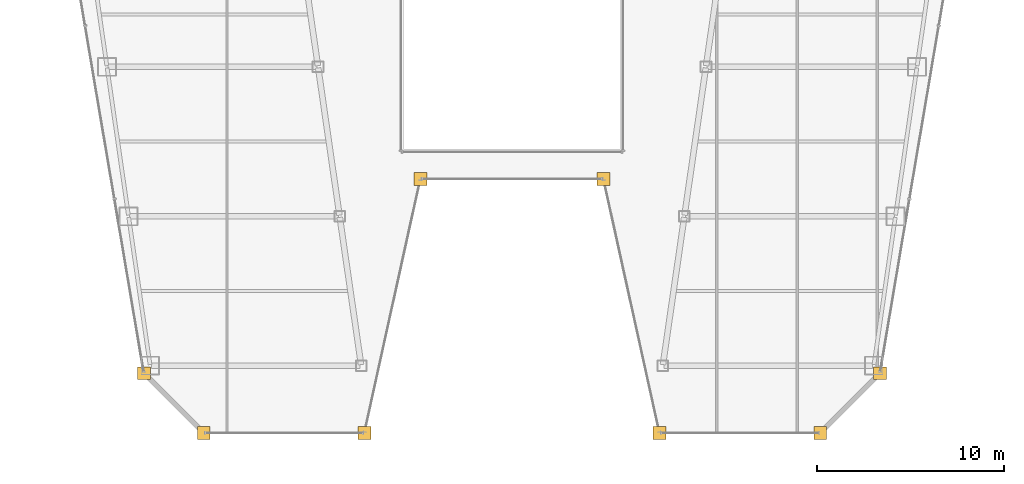
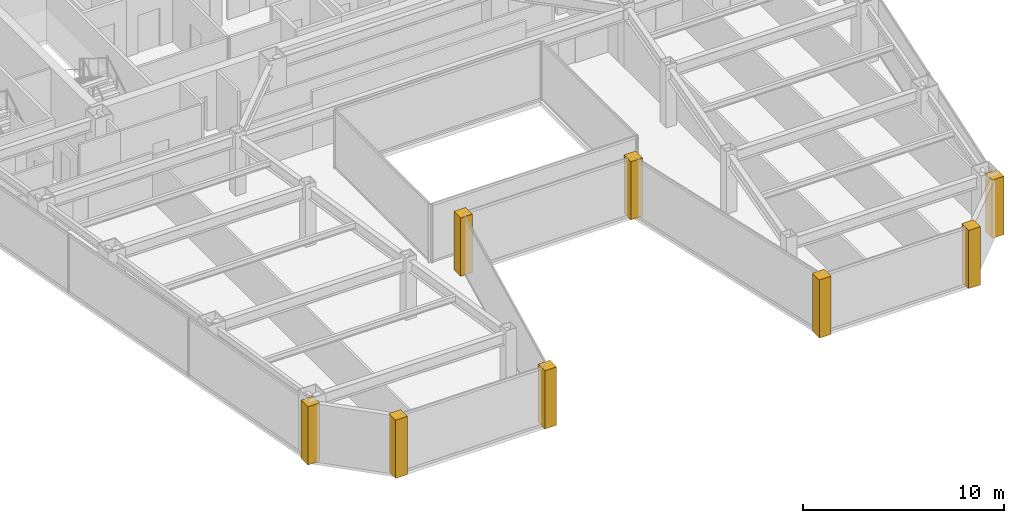
# One storey, part 33 of 35: 8 coverings.
"""IFC4 building model written with IfcOpenShell, lengths in metres."""

from ifc_helpers import new_model, si_unit, direction, frame, origin, place, context, subcontext, project, spatial, polyline, outline, extrude, material, layer, layer_set, type_object, element, save


model = new_model("IFC4")

# Units and contexts
model_context = context("Model", 3, precision=1e-05, world=origin(), true_north=direction((0.0, 1.0)))
body_context = subcontext(model_context, "Body", "Model", "MODEL_VIEW")
ifc_project = project(units=[si_unit("LENGTHUNIT", "METRE"), si_unit("AREAUNIT", "SQUARE_METRE"), si_unit("VOLUMEUNIT", "CUBIC_METRE"), si_unit("PLANEANGLEUNIT", "RADIAN"), si_unit("MASSUNIT", "GRAM", prefix="KILO")], contexts=[model_context])

# Site, building, storey
site_placement = place(None, origin())
site = spatial("IfcSite", under=ifc_project, at=site_placement, CompositionType="ELEMENT")
building_placement = place(site_placement, origin())
building = spatial("IfcBuilding", under=site, at=building_placement, Name="Saevonmaru Cultural Tower", CompositionType="ELEMENT")
storey_placement = place(building_placement, frame((0.0, 0.0, 175.199951171875)))
storey = spatial("IfcBuildingStorey", under=building, at=storey_placement, Name="L39", CompositionType="ELEMENT", Elevation=175.199951171875)

# Coverings
ifc_material = material(Name="Satin Bronze Anodised Aluminium", Category="aluminium")
ifc_layer = layer(ifc_material, 0.679931640625, Name="Satin Bronze Anodised Aluminium")
ifc_layer_set = layer_set([ifc_layer], Name="Satin Bronze Anodised Aluminium")
covering_type = type_object("IfcCoveringType", Name="CV-CORNER-CLAD", PredefinedType="CLADDING", material=ifc_layer_set)
covering_1_placement = place(storey_placement, origin())
element("IfcCovering", 1, at=covering_1_placement, inside=storey, type_object=covering_type, Name="L39 Tower Bronze Corner Cladding Pier 1", PredefinedType="CLADDING", context=body_context, shape_type="SweptSolid", body=[
    extrude(outline(polyline([(9.9580078125, 15.260009765625), (10.637939453125, 15.260009765625), (10.637939453125, 15.93994140625), (9.9580078125, 15.93994140625), (9.9580078125, 15.260009765625)])), origin(), (0.0, 0.0, 1.0), 3.550048828125),
])
covering_2_placement = place(storey_placement, origin())
element("IfcCovering", 2, at=covering_2_placement, inside=storey, type_object=covering_type, Name="L39 Tower Bronze Corner Cladding Pier 2", PredefinedType="CLADDING", context=body_context, shape_type="SweptSolid", body=[
    extrude(outline(polyline([(13.157958984375, 12.06005859375), (13.837890625, 12.06005859375), (13.837890625, 12.739990234375), (13.157958984375, 12.739990234375), (13.157958984375, 12.06005859375)])), origin(), (0.0, 0.0, 1.0), 3.550048828125),
])
covering_3_placement = place(storey_placement, origin())
element("IfcCovering", 3, at=covering_3_placement, inside=storey, type_object=covering_type, Name="L39 Tower Bronze Corner Cladding Pier 3", PredefinedType="CLADDING", context=body_context, shape_type="SweptSolid", body=[
    extrude(outline(polyline([(21.758056640625, 12.06005859375), (22.43798828125, 12.06005859375), (22.43798828125, 12.739990234375), (21.758056640625, 12.739990234375), (21.758056640625, 12.06005859375)])), origin(), (0.0, 0.0, 1.0), 3.550048828125),
])
covering_4_placement = place(storey_placement, origin())
element("IfcCovering", 4, at=covering_4_placement, inside=storey, type_object=covering_type, Name="L39 Tower Bronze Corner Cladding Pier 4", PredefinedType="CLADDING", context=body_context, shape_type="SweptSolid", body=[
    extrude(outline(polyline([(24.758056640625, 25.659912109375), (25.43798828125, 25.659912109375), (25.43798828125, 26.340087890625), (24.758056640625, 26.340087890625), (24.758056640625, 25.659912109375)])), origin(), (0.0, 0.0, 1.0), 3.550048828125),
])
covering_5_placement = place(storey_placement, origin())
element("IfcCovering", 5, at=covering_5_placement, inside=storey, type_object=covering_type, Name="L39 Tower Bronze Corner Cladding Pier 5", PredefinedType="CLADDING", context=body_context, shape_type="SweptSolid", body=[
    extrude(outline(polyline([(34.56201171875, 25.659912109375), (35.241943359375, 25.659912109375), (35.241943359375, 26.340087890625), (34.56201171875, 26.340087890625), (34.56201171875, 25.659912109375)])), origin(), (0.0, 0.0, 1.0), 3.550048828125),
])
covering_6_placement = place(storey_placement, origin())
element("IfcCovering", 6, at=covering_6_placement, inside=storey, type_object=covering_type, Name="L39 Tower Bronze Corner Cladding Pier 6", PredefinedType="CLADDING", context=body_context, shape_type="SweptSolid", body=[
    extrude(outline(polyline([(37.56201171875, 12.06005859375), (38.241943359375, 12.06005859375), (38.241943359375, 12.739990234375), (37.56201171875, 12.739990234375), (37.56201171875, 12.06005859375)])), origin(), (0.0, 0.0, 1.0), 3.550048828125),
])
covering_7_placement = place(storey_placement, origin())
element("IfcCovering", 7, at=covering_7_placement, inside=storey, type_object=covering_type, Name="L39 Tower Bronze Corner Cladding Pier 7", PredefinedType="CLADDING", context=body_context, shape_type="SweptSolid", body=[
    extrude(outline(polyline([(46.162109375, 12.06005859375), (46.842041015625, 12.06005859375), (46.842041015625, 12.739990234375), (46.162109375, 12.739990234375), (46.162109375, 12.06005859375)])), origin(), (0.0, 0.0, 1.0), 3.550048828125),
])
covering_8_placement = place(storey_placement, origin())
element("IfcCovering", 8, at=covering_8_placement, inside=storey, type_object=covering_type, Name="L39 Tower Bronze Corner Cladding Pier 8", PredefinedType="CLADDING", context=body_context, shape_type="SweptSolid", body=[
    extrude(outline(polyline([(49.362060546875, 15.260009765625), (50.0419921875, 15.260009765625), (50.0419921875, 15.93994140625), (49.362060546875, 15.93994140625), (49.362060546875, 15.260009765625)])), origin(), (0.0, 0.0, 1.0), 3.550048828125),
])

save(model, "model.ifc")
